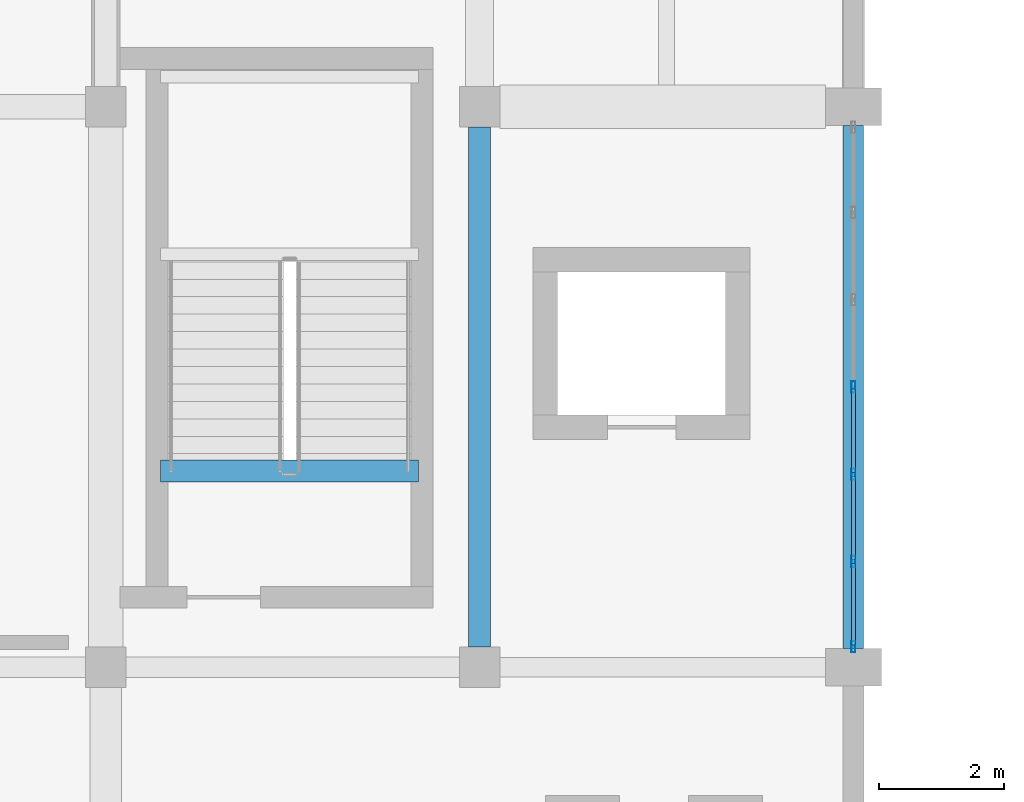
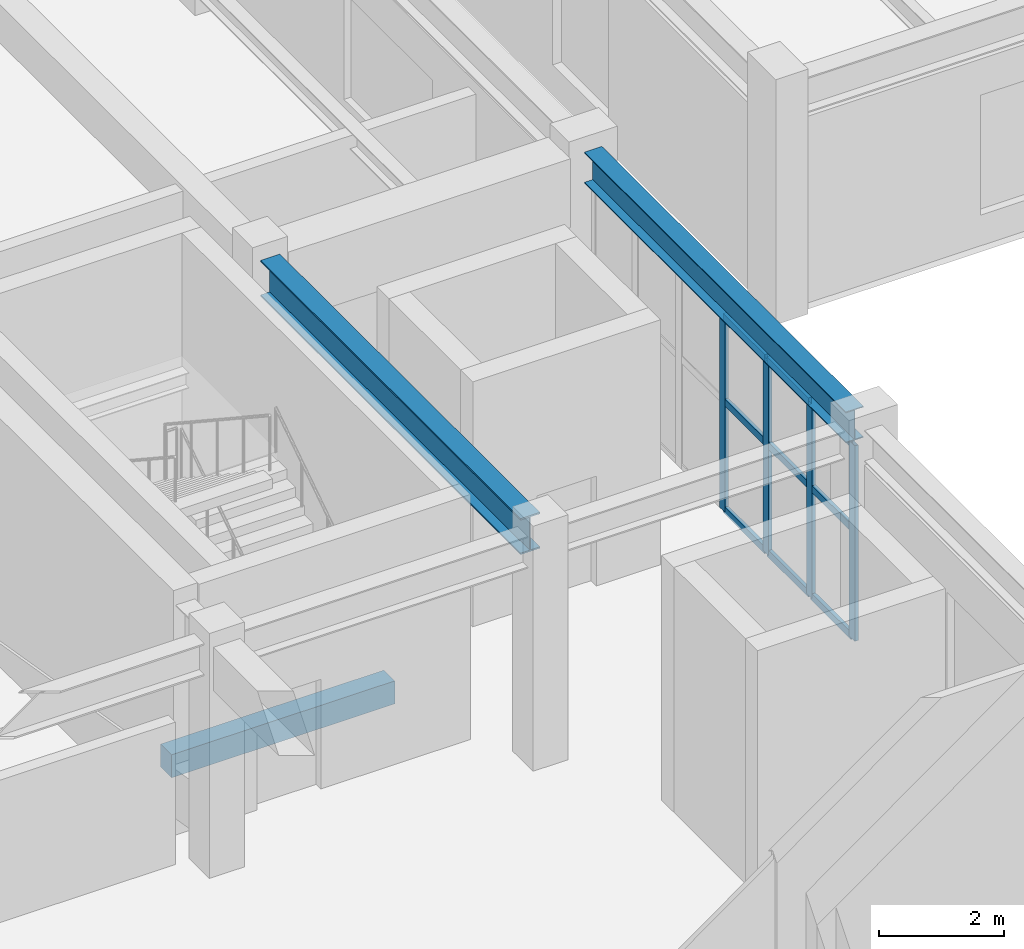
# One storey, part 26 of 80: 13 members, 3 beams, 1 element without a shape of its own.
"""IFC4 building model written with IfcOpenShell, lengths in metres."""

from ifc_helpers import new_model, si_unit, direction, frame, origin, origin_2d, place, context, subcontext, project, spatial, rectangle, hollow_rectangle, i_section, extrude, material, layer, layer_set, material_profile, profile_set, type_object, element, aggregate, save


model = new_model("IFC4")

# Units and contexts
model_context = context("Model", 3, precision=1e-05, world=origin(), true_north=direction((0.0, 1.0)))
body_context = subcontext(model_context, "Body", "Model", "MODEL_VIEW")
ifc_project = project(units=[si_unit("LENGTHUNIT", "METRE"), si_unit("AREAUNIT", "SQUARE_METRE"), si_unit("VOLUMEUNIT", "CUBIC_METRE"), si_unit("PLANEANGLEUNIT", "RADIAN"), si_unit("MASSUNIT", "GRAM", prefix="KILO")], contexts=[model_context])

# Site, building, storey
site_placement = place(None, origin())
site = spatial("IfcSite", under=ifc_project, at=site_placement, CompositionType="ELEMENT")
building_placement = place(site_placement, origin())
building = spatial("IfcBuilding", under=site, at=building_placement, Name="Vaelkrest Opera House", CompositionType="ELEMENT")
storey_placement = place(building_placement, frame((0.0, 0.0, 15.0)))
storey = spatial("IfcBuildingStorey", under=building, at=storey_placement, Name="L03", CompositionType="ELEMENT", Elevation=15.0)

# Beam
ifc_material_1 = material(Name="Steel A992 Gr50", Category="steel")
ifc_material_profile_1 = material_profile(ifc_material_1, i_section(OverallWidth=0.35791015625, OverallDepth=0.7060546875, WebThickness=0.018310546875, FlangeThickness=0.0302734375, at=origin_2d()), Name="W27X178")
ifc_profile_set_1 = profile_set([ifc_material_profile_1], Name="Steel A992 Gr50")
beam_type_1 = type_object("IfcBeamType", Name="B14", PredefinedType="BEAM", material=ifc_profile_set_1)
beam_1_placement = place(storey_placement, frame((24.0, -28.47509765625, 4.152099609375), z_axis=(0.0, 1.0, 0.0), x_axis=(-1.0, 0.0, 0.0)))
element("IfcBeam", 1, at=beam_1_placement, inside=storey, type_object=beam_type_1, Name="Beam BM-V1-L03-0502", PredefinedType="BEAM", context=body_context, shape_type="SweptSolid", body=[
    extrude(i_section(OverallWidth=0.35791015625, OverallDepth=0.7060546875, WebThickness=0.018310546875, FlangeThickness=0.0302734375, at=origin_2d()), origin(), (0.0, 0.0, 1.0), 8.35009765625),
])

# Curtain wall, members
ifc_material_2 = material(Name="Dark bronze anodized aluminium", Category="aluminium")
ifc_layer = layer(ifc_material_2, 0.179931640625)
ifc_layer_set = layer_set([ifc_layer], Name="Dark bronze anodized aluminium")
curtain_wall_type = type_object("IfcCurtainWallType", Name="CW01", PredefinedType="NOTDEFINED", material=ifc_layer_set)
curtain_wall_placement = place(storey_placement, origin())
curtain_wall = element("IfcCurtainWall", 2, at=curtain_wall_placement, inside=storey, type_object=curtain_wall_type, Name="Curtain wall CW-L03-053", PredefinedType="NOTDEFINED")
ifc_material_profile_2 = material_profile(ifc_material_2, hollow_rectangle(XDim=0.06494140625, YDim=0.179931640625, WallThickness=0.00390625, at=origin_2d()), Name="CWM65X180")
ifc_profile_set_2 = profile_set([ifc_material_profile_2], Name="Dark bronze anodized aluminium")
member_type_1 = type_object("IfcMemberType", Name="CWM01", PredefinedType="MULLION", material=ifc_profile_set_2)
member_1_placement = place(storey_placement, frame((30.0, -24.300048828125, 0.0), z_axis=(0.0, 0.0, 1.0), x_axis=(1.0, 0.0, 0.0)))
member_1 = element("IfcMember", 3, at=member_1_placement, type_object=member_type_1, Name="CW01 mullion 4", PredefinedType="MULLION", context=body_context, shape_type="SweptSolid", body=[
    extrude(hollow_rectangle(XDim=0.06494140625, YDim=0.179931640625, WallThickness=0.00390625, at=origin_2d()), origin(), (0.0, 0.0, 1.0), 3.8291015625),
])
member_2_placement = place(storey_placement, frame((30.0, -25.70068359375, 0.0), z_axis=(0.0, 0.0, 1.0), x_axis=(1.0, 0.0, 0.0)))
member_2 = element("IfcMember", 4, at=member_2_placement, type_object=member_type_1, Name="CW01 mullion 5", PredefinedType="MULLION", context=body_context, shape_type="SweptSolid", body=[
    extrude(hollow_rectangle(XDim=0.06494140625, YDim=0.179931640625, WallThickness=0.00390625, at=origin_2d()), origin(), (0.0, 0.0, 1.0), 3.8291015625),
])
member_3_placement = place(storey_placement, frame((30.0, -27.101318359375, 0.0), z_axis=(0.0, 0.0, 1.0), x_axis=(1.0, 0.0, 0.0)))
member_3 = element("IfcMember", 5, at=member_3_placement, type_object=member_type_1, Name="CW01 mullion 6", PredefinedType="MULLION", context=body_context, shape_type="SweptSolid", body=[
    extrude(hollow_rectangle(XDim=0.06494140625, YDim=0.179931640625, WallThickness=0.00390625, at=origin_2d()), origin(), (0.0, 0.0, 1.0), 3.8291015625),
])
member_4_placement = place(storey_placement, frame((30.0, -28.469482421875, 0.0), z_axis=(0.0, 0.0, 1.0), x_axis=(1.0, 0.0, 0.0)))
member_4 = element("IfcMember", 6, at=member_4_placement, type_object=member_type_1, Name="CW01 mullion 7", PredefinedType="MULLION", context=body_context, shape_type="SweptSolid", body=[
    extrude(hollow_rectangle(XDim=0.06494140625, YDim=0.179931640625, WallThickness=0.00390625, at=origin_2d()), origin(), (0.0, 0.0, 1.0), 3.8291015625),
])
ifc_material_profile_3 = material_profile(ifc_material_2, hollow_rectangle(XDim=0.06494140625, YDim=0.139892578125, WallThickness=0.00390625, at=origin_2d()), Name="CWT65X140")
ifc_profile_set_3 = profile_set([ifc_material_profile_3], Name="Dark bronze anodized aluminium")
member_type_2 = type_object("IfcMemberType", Name="CWT01", PredefinedType="USERDEFINED", material=ifc_profile_set_3)
member_5_placement = place(storey_placement, frame((30.0, -24.33251953125, 0.032470703125), z_axis=(0.0, -1.0, 0.0), x_axis=(1.0, 0.0, 0.0)))
member_5 = element("IfcMember", 7, at=member_5_placement, type_object=member_type_2, Name="CW01 transom 4.1", ObjectType="TRANSOM", PredefinedType="USERDEFINED", context=body_context, shape_type="SweptSolid", body=[
    extrude(hollow_rectangle(XDim=0.06494140625, YDim=0.139892578125, WallThickness=0.00390625, at=origin_2d()), origin(), (0.0, 0.0, 1.0), 1.335693359375),
])
member_6_placement = place(storey_placement, frame((30.0, -24.33251953125, 2.14990234375), z_axis=(0.0, -1.0, 0.0), x_axis=(1.0, 0.0, 0.0)))
member_6 = element("IfcMember", 8, at=member_6_placement, type_object=member_type_2, Name="CW01 transom 4.2", ObjectType="TRANSOM", PredefinedType="USERDEFINED", context=body_context, shape_type="SweptSolid", body=[
    extrude(hollow_rectangle(XDim=0.06494140625, YDim=0.139892578125, WallThickness=0.00390625, at=origin_2d()), origin(), (0.0, 0.0, 1.0), 1.335693359375),
])
member_7_placement = place(storey_placement, frame((30.0, -24.33251953125, 3.79638671875), z_axis=(0.0, -1.0, 0.0), x_axis=(1.0, 0.0, 0.0)))
member_7 = element("IfcMember", 9, at=member_7_placement, type_object=member_type_2, Name="CW01 transom 4.3", ObjectType="TRANSOM", PredefinedType="USERDEFINED", context=body_context, shape_type="SweptSolid", body=[
    extrude(hollow_rectangle(XDim=0.06494140625, YDim=0.139892578125, WallThickness=0.00390625, at=origin_2d()), origin(), (0.0, 0.0, 1.0), 1.335693359375),
])
member_8_placement = place(storey_placement, frame((30.0, -25.733154296875, 0.032470703125), z_axis=(0.0, -1.0, 0.0), x_axis=(1.0, 0.0, 0.0)))
member_8 = element("IfcMember", 10, at=member_8_placement, type_object=member_type_2, Name="CW01 transom 5.1", ObjectType="TRANSOM", PredefinedType="USERDEFINED", context=body_context, shape_type="SweptSolid", body=[
    extrude(hollow_rectangle(XDim=0.06494140625, YDim=0.139892578125, WallThickness=0.00390625, at=origin_2d()), origin(), (0.0, 0.0, 1.0), 1.335693359375),
])
member_9_placement = place(storey_placement, frame((30.0, -25.733154296875, 2.14990234375), z_axis=(0.0, -1.0, 0.0), x_axis=(1.0, 0.0, 0.0)))
member_9 = element("IfcMember", 11, at=member_9_placement, type_object=member_type_2, Name="CW01 transom 5.2", ObjectType="TRANSOM", PredefinedType="USERDEFINED", context=body_context, shape_type="SweptSolid", body=[
    extrude(hollow_rectangle(XDim=0.06494140625, YDim=0.139892578125, WallThickness=0.00390625, at=origin_2d()), origin(), (0.0, 0.0, 1.0), 1.335693359375),
])
member_10_placement = place(storey_placement, frame((30.0, -25.733154296875, 3.79638671875), z_axis=(0.0, -1.0, 0.0), x_axis=(1.0, 0.0, 0.0)))
member_10 = element("IfcMember", 12, at=member_10_placement, type_object=member_type_2, Name="CW01 transom 5.3", ObjectType="TRANSOM", PredefinedType="USERDEFINED", context=body_context, shape_type="SweptSolid", body=[
    extrude(hollow_rectangle(XDim=0.06494140625, YDim=0.139892578125, WallThickness=0.00390625, at=origin_2d()), origin(), (0.0, 0.0, 1.0), 1.335693359375),
])
member_11_placement = place(storey_placement, frame((30.0, -27.1337890625, 0.032470703125), z_axis=(0.0, -1.0, 0.0), x_axis=(1.0, 0.0, 0.0)))
member_11 = element("IfcMember", 13, at=member_11_placement, type_object=member_type_2, Name="CW01 transom 6.1", ObjectType="TRANSOM", PredefinedType="USERDEFINED", context=body_context, shape_type="SweptSolid", body=[
    extrude(hollow_rectangle(XDim=0.06494140625, YDim=0.139892578125, WallThickness=0.00390625, at=origin_2d()), origin(), (0.0, 0.0, 1.0), 1.30322265625),
])
member_12_placement = place(storey_placement, frame((30.0, -27.1337890625, 2.14990234375), z_axis=(0.0, -1.0, 0.0), x_axis=(1.0, 0.0, 0.0)))
member_12 = element("IfcMember", 14, at=member_12_placement, type_object=member_type_2, Name="CW01 transom 6.2", ObjectType="TRANSOM", PredefinedType="USERDEFINED", context=body_context, shape_type="SweptSolid", body=[
    extrude(hollow_rectangle(XDim=0.06494140625, YDim=0.139892578125, WallThickness=0.00390625, at=origin_2d()), origin(), (0.0, 0.0, 1.0), 1.30322265625),
])
member_13_placement = place(storey_placement, frame((30.0, -27.1337890625, 3.79638671875), z_axis=(0.0, -1.0, 0.0), x_axis=(1.0, 0.0, 0.0)))
member_13 = element("IfcMember", 15, at=member_13_placement, type_object=member_type_2, Name="CW01 transom 6.3", ObjectType="TRANSOM", PredefinedType="USERDEFINED", context=body_context, shape_type="SweptSolid", body=[
    extrude(hollow_rectangle(XDim=0.06494140625, YDim=0.139892578125, WallThickness=0.00390625, at=origin_2d()), origin(), (0.0, 0.0, 1.0), 1.30322265625),
])
aggregate(curtain_wall, [member_1, member_2, member_3, member_4, member_5, member_6, member_7, member_8, member_9, member_10, member_11, member_12, member_13])

# Beams
ifc_material_3 = material(Name="Concrete C50/60", Category="concrete")
ifc_material_profile_4 = material_profile(ifc_material_3, rectangle(XDim=0.35009765625, YDim=0.449951171875, at=origin_2d()), Name="RCB350X450")
ifc_profile_set_4 = profile_set([ifc_material_profile_4], Name="Concrete C50/60")
beam_type_2 = type_object("IfcBeamType", Name="LN01", PredefinedType="LINTEL", material=ifc_profile_set_4)
beam_2_placement = place(storey_placement, frame((18.8798828125, -25.64990234375, -0.22509765625), z_axis=(1.0, 0.0, 0.0), x_axis=(0.0, 1.0, 0.0)))
element("IfcBeam", 16, at=beam_2_placement, inside=storey, type_object=beam_type_2, Name="Stairwell trimmer beam ST02 L03", PredefinedType="LINTEL", context=body_context, shape_type="SweptSolid", body=[
    extrude(rectangle(XDim=0.35009765625, YDim=0.449951171875, at=origin_2d()), origin(), (0.0, 0.0, 1.0), 4.14013671875),
])
ifc_material_profile_5 = material_profile(ifc_material_1, i_section(OverallWidth=0.323974609375, OverallDepth=0.611083984375, WebThickness=0.0126953125, FlangeThickness=0.01904296875, at=origin_2d()), Name="W24X104")
ifc_profile_set_5 = profile_set([ifc_material_profile_5], Name="Steel A992 Gr50")
beam_type_3 = type_object("IfcBeamType", Name="SP01", PredefinedType="SPANDREL", material=ifc_profile_set_5)
beam_3_placement = place(storey_placement, frame((30.0, -28.5, 4.199462890625), z_axis=(0.0, 1.0, 0.0), x_axis=(-1.0, 0.0, 0.0)))
element("IfcBeam", 17, at=beam_3_placement, inside=storey, type_object=beam_type_3, Name="Beam BM-V1-L03-0510", PredefinedType="SPANDREL", context=body_context, shape_type="SweptSolid", body=[
    extrude(i_section(OverallWidth=0.323974609375, OverallDepth=0.611083984375, WebThickness=0.0126953125, FlangeThickness=0.01904296875, at=origin_2d()), origin(), (0.0, 0.0, 1.0), 8.39990234375),
])

save(model, "model.ifc")
